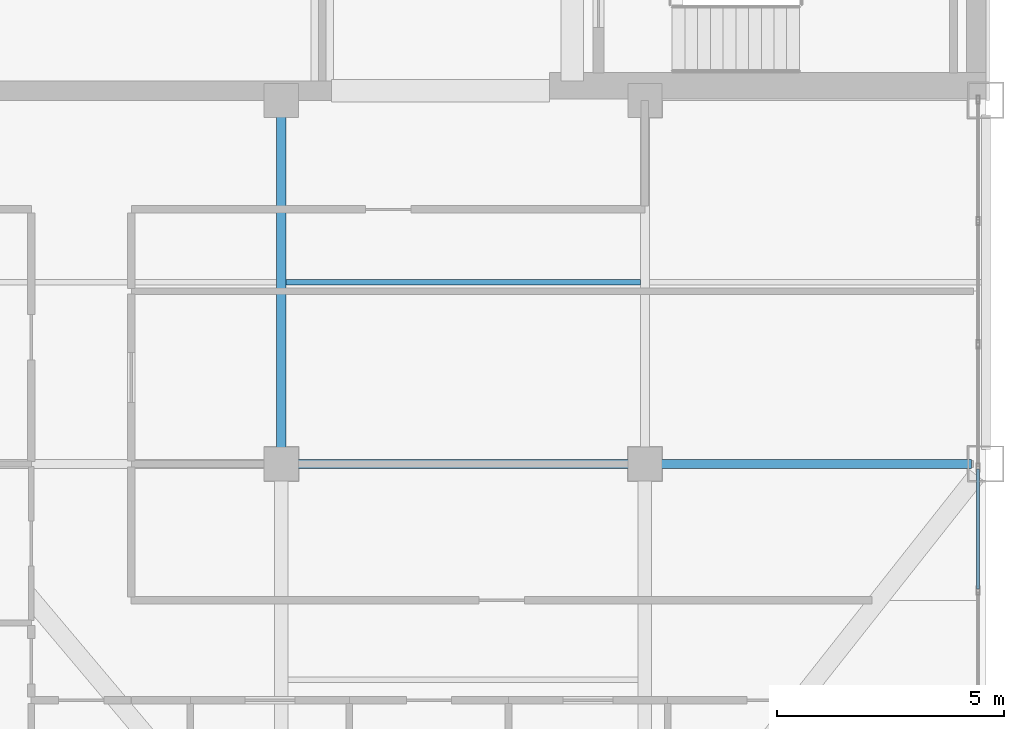
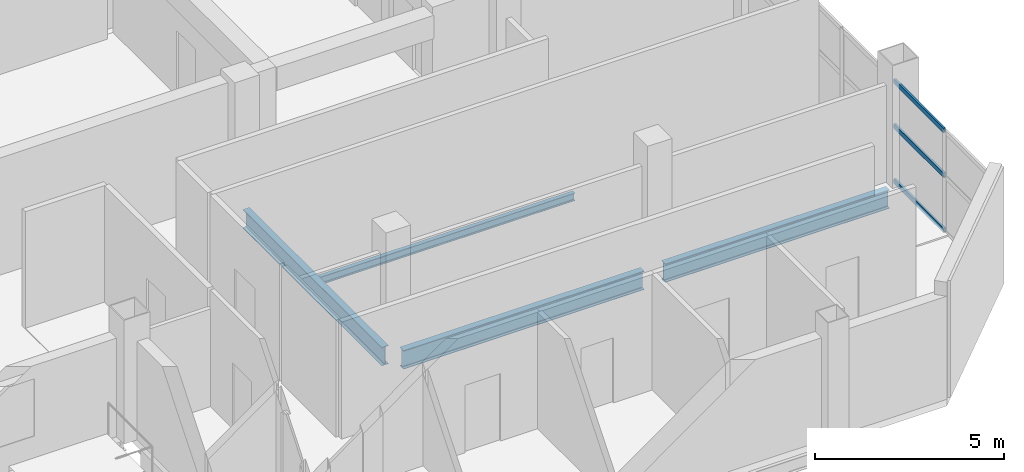
# One storey, part 3 of 13: 4 beams, 3 members, 1 element without a shape of its own.
"""IFC4 building model written with IfcOpenShell, lengths in metres."""

from ifc_helpers import new_model, si_unit, direction, frame, origin, origin_2d, place, context, subcontext, project, spatial, hollow_rectangle, i_section, extrude, material, layer, layer_set, material_profile, profile_set, type_object, element, aggregate, save


model = new_model("IFC4")

# Units and contexts
model_context = context("Model", 3, precision=1e-05, world=origin(), true_north=direction((0.0, 1.0)))
body_context = subcontext(model_context, "Body", "Model", "MODEL_VIEW")
ifc_project = project(units=[si_unit("LENGTHUNIT", "METRE"), si_unit("AREAUNIT", "SQUARE_METRE"), si_unit("VOLUMEUNIT", "CUBIC_METRE"), si_unit("PLANEANGLEUNIT", "RADIAN"), si_unit("MASSUNIT", "GRAM", prefix="KILO")], contexts=[model_context])

# Site, building, storey
site_placement = place(None, origin())
site = spatial("IfcSite", under=ifc_project, at=site_placement, CompositionType="ELEMENT")
building_placement = place(site_placement, origin())
building = spatial("IfcBuilding", under=site, at=building_placement, Name="Qianrong Seaharbour Tower", CompositionType="ELEMENT")
storey_placement = place(building_placement, frame((0.0, 0.0, 291.199951171875)))
storey = spatial("IfcBuildingStorey", under=building, at=storey_placement, Name="L70", CompositionType="ELEMENT", Elevation=291.199951171875)

# Beams
ifc_material_1 = material(Name="Structural steel SN490B", Category="steel")
ifc_material_profile_1 = material_profile(ifc_material_1, i_section(OverallWidth=0.199951171875, OverallDepth=0.60009765625, WebThickness=0.010986328125, FlangeThickness=0.01708984375, FilletRadius=0.02197265625, at=origin_2d()), Name="H600x200x11x17")
ifc_profile_set_1 = profile_set([ifc_material_profile_1], Name="Structural steel SN490B")
beam_type_1 = type_object("IfcBeamType", Name="BM-G-600", PredefinedType="BEAM", material=ifc_profile_set_1)
beam_1_placement = place(storey_placement, frame((48.820068359375, 28.0, -0.514892578125), z_axis=(1.0, 0.0, 0.0), x_axis=(0.0, 1.0, 0.0)))
element("IfcBeam", 1, at=beam_1_placement, inside=storey, type_object=beam_type_1, Name="L70 Primary Girder GE G7-G8", PredefinedType="BEAM", context=body_context, shape_type="SweptSolid", body=[
    extrude(i_section(OverallWidth=0.199951171875, OverallDepth=0.60009765625, WebThickness=0.010986328125, FlangeThickness=0.01708984375, FilletRadius=0.02197265625, at=origin_2d()), origin(), (0.0, 0.0, 1.0), 7.35986328125),
])
beam_2_placement = place(storey_placement, frame((56.820068359375, 28.0, -0.514892578125), z_axis=(1.0, 0.0, 0.0), x_axis=(0.0, 1.0, 0.0)))
element("IfcBeam", 2, at=beam_2_placement, inside=storey, type_object=beam_type_1, Name="L70 Primary Girder GE G8-G9", PredefinedType="BEAM", context=body_context, shape_type="SweptSolid", body=[
    extrude(i_section(OverallWidth=0.199951171875, OverallDepth=0.60009765625, WebThickness=0.010986328125, FlangeThickness=0.01708984375, FilletRadius=0.02197265625, at=origin_2d()), origin(), (0.0, 0.0, 1.0), 6.85986328125),
])
beam_3_placement = place(storey_placement, frame((48.5, 28.320068359375, -0.514892578125), z_axis=(0.0, 1.0, 0.0), x_axis=(-1.0, 0.0, 0.0)))
element("IfcBeam", 3, at=beam_3_placement, inside=storey, type_object=beam_type_1, Name="L70 Primary Girder G7 GE-GF", PredefinedType="BEAM", context=body_context, shape_type="SweptSolid", body=[
    extrude(i_section(OverallWidth=0.199951171875, OverallDepth=0.60009765625, WebThickness=0.010986328125, FlangeThickness=0.01708984375, FilletRadius=0.02197265625, at=origin_2d()), origin(), (0.0, 0.0, 1.0), 7.35986328125),
])
ifc_material_2 = material(Name="Structural steel SN400B", Category="steel")
ifc_material_profile_2 = material_profile(ifc_material_2, i_section(OverallWidth=0.125, OverallDepth=0.25, WebThickness=0.006103515625, FlangeThickness=0.009033203125, FilletRadius=0.011962890625, at=origin_2d()), Name="H250x125x6x9")
ifc_profile_set_2 = profile_set([ifc_material_profile_2], Name="Structural steel SN400B")
beam_type_2 = type_object("IfcBeamType", Name="BM-J-250", PredefinedType="JOIST", material=ifc_profile_set_2)
beam_4_placement = place(storey_placement, frame((48.60009765625, 32.0, -0.33984375), z_axis=(1.0, 0.0, 0.0), x_axis=(0.0, 1.0, 0.0)))
element("IfcBeam", 4, at=beam_4_placement, inside=storey, type_object=beam_type_2, Name="L70 Composite Floor Joist G7-G8/GE-GF", PredefinedType="JOIST", context=body_context, shape_type="SweptSolid", body=[
    extrude(i_section(OverallWidth=0.125, OverallDepth=0.25, WebThickness=0.006103515625, FlangeThickness=0.009033203125, FilletRadius=0.011962890625, at=origin_2d()), origin(), (0.0, 0.0, 1.0), 7.7998046875),
])

# Curtain wall, members
ifc_material_3 = material(Name="Anodised aluminium 6063-T6 and laminated low-e glass", Category="aluminium")
ifc_layer = layer(ifc_material_3, 0.195068359375)
ifc_layer_set = layer_set([ifc_layer], Name="Anodised aluminium 6063-T6 and laminated low-e glass")
curtain_wall_type = type_object("IfcCurtainWallType", Name="CW-SYS-3", PredefinedType="NOTDEFINED", material=ifc_layer_set)
curtain_wall_placement = place(storey_placement, origin())
curtain_wall = element("IfcCurtainWall", 5, at=curtain_wall_placement, inside=storey, type_object=curtain_wall_type, Name="L70 Sky-Garden Wintergarden Curtain Wall EAST_WING", PredefinedType="NOTDEFINED")
ifc_material_4 = material(Name="Extruded aluminium 6063-T6", Category="aluminium")
ifc_material_profile_3 = material_profile(ifc_material_4, hollow_rectangle(XDim=0.06494140625, YDim=0.14990234375, WallThickness=0.00390625, at=origin_2d()), Name="ALU-TRN-150x65x4")
ifc_profile_set_3 = profile_set([ifc_material_profile_3], Name="Extruded aluminium 6063-T6")
member_type = type_object("IfcMemberType", Name="CW-TRN-150", PredefinedType="USERDEFINED", material=ifc_profile_set_3)
member_1_placement = place(storey_placement, frame((63.830078125, 27.885009765625, 0.032470703125), z_axis=(0.0, -1.0, 0.0), x_axis=(1.0, 0.0, 0.0)))
member_1 = element("IfcMember", 6, at=member_1_placement, type_object=member_type, Name="CW-3 transom 4.1", ObjectType="TRANSOM", PredefinedType="USERDEFINED", context=body_context, shape_type="SweptSolid", body=[
    extrude(hollow_rectangle(XDim=0.06494140625, YDim=0.14990234375, WallThickness=0.00390625, at=origin_2d()), origin(), (0.0, 0.0, 1.0), 2.639892578125),
])
member_2_placement = place(storey_placement, frame((63.830078125, 27.885009765625, 1.812255859375), z_axis=(0.0, -1.0, 0.0), x_axis=(1.0, 0.0, 0.0)))
member_2 = element("IfcMember", 7, at=member_2_placement, type_object=member_type, Name="CW-3 transom 4.2", ObjectType="TRANSOM", PredefinedType="USERDEFINED", context=body_context, shape_type="SweptSolid", body=[
    extrude(hollow_rectangle(XDim=0.06494140625, YDim=0.14990234375, WallThickness=0.00390625, at=origin_2d()), origin(), (0.0, 0.0, 1.0), 2.639892578125),
])
member_3_placement = place(storey_placement, frame((63.830078125, 27.885009765625, 3.262451171875), z_axis=(0.0, -1.0, 0.0), x_axis=(1.0, 0.0, 0.0)))
member_3 = element("IfcMember", 8, at=member_3_placement, type_object=member_type, Name="CW-3 transom 4.3", ObjectType="TRANSOM", PredefinedType="USERDEFINED", context=body_context, shape_type="SweptSolid", body=[
    extrude(hollow_rectangle(XDim=0.06494140625, YDim=0.14990234375, WallThickness=0.00390625, at=origin_2d()), origin(), (0.0, 0.0, 1.0), 2.639892578125),
])
aggregate(curtain_wall, [member_1, member_2, member_3])

save(model, "model.ifc")
